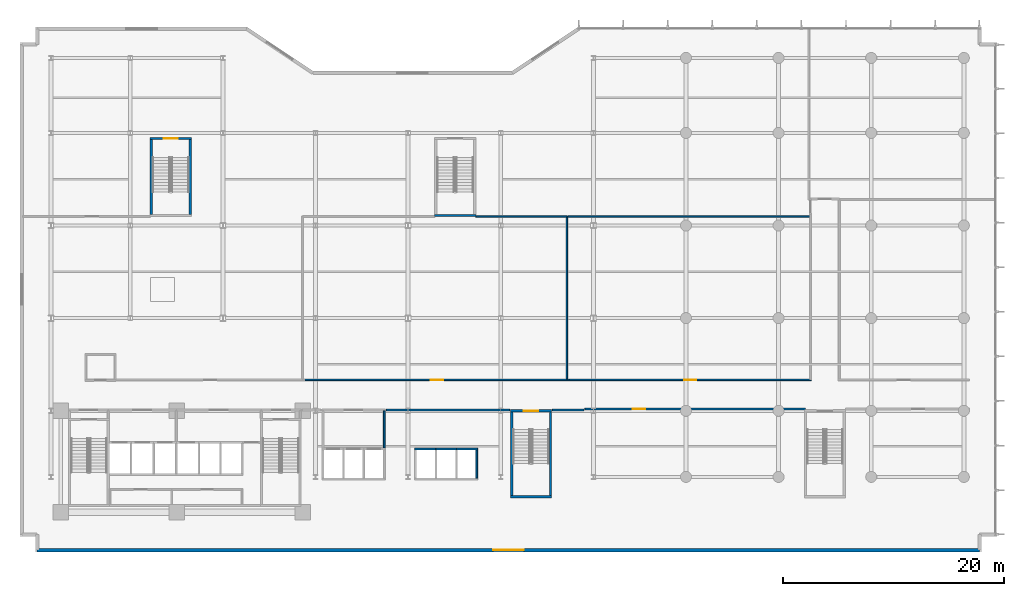
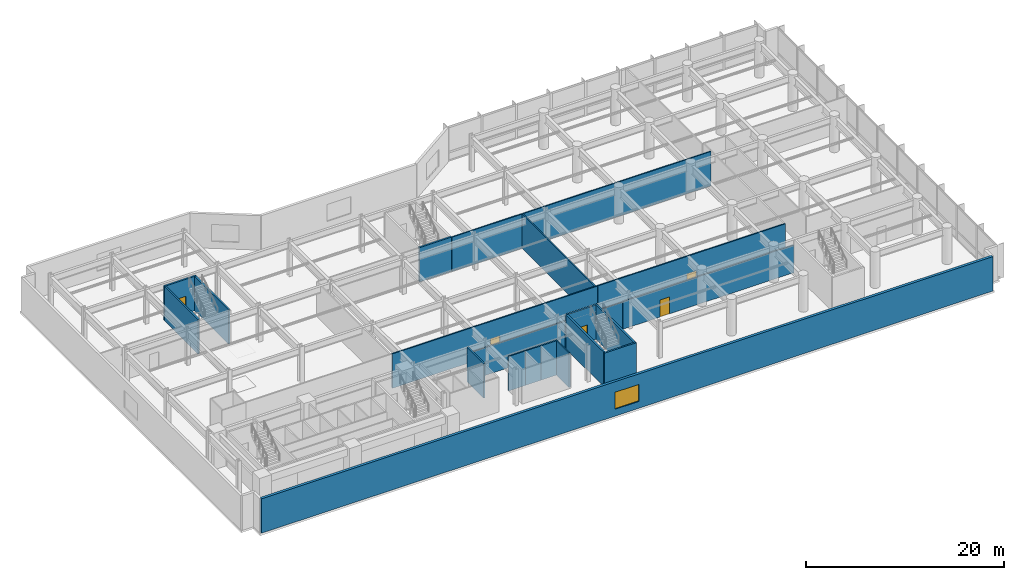
# One storey, part 16 of 26: 22 walls, 5 doors, 1 window, 6 openings.
"""IFC4 building model written with IfcOpenShell, lengths in metres."""

from ifc_helpers import new_model, si_unit, direction, frame, frame_2d, origin, place, context, subcontext, project, spatial, rectangle, extrude, material, layer, layer_set, type_object, element, fill, save


model = new_model("IFC4")

# Units and contexts
model_context = context("Model", 3, precision=1e-05, world=origin(), true_north=direction((0.0, 1.0)))
body_context = subcontext(model_context, "Body", "Model", "MODEL_VIEW")
ifc_project = project(units=[si_unit("LENGTHUNIT", "METRE"), si_unit("AREAUNIT", "SQUARE_METRE"), si_unit("VOLUMEUNIT", "CUBIC_METRE"), si_unit("PLANEANGLEUNIT", "RADIAN"), si_unit("MASSUNIT", "GRAM", prefix="KILO")], contexts=[model_context])

# Site, building, storey
site_placement = place(None, origin())
site = spatial("IfcSite", under=ifc_project, at=site_placement, CompositionType="ELEMENT")
building_placement = place(site_placement, origin())
building = spatial("IfcBuilding", under=site, at=building_placement, Name="Varnakote Quay Hospital", CompositionType="ELEMENT")
storey_placement = place(building_placement, frame((0.0, 0.0, 13.5)))
storey = spatial("IfcBuildingStorey", under=building, at=storey_placement, Name="L03", CompositionType="ELEMENT", Elevation=13.5)

# Walls
ifc_material_1 = material(Name="Fire-rated acoustic gypsum stud wall", Category="gypsum")
ifc_layer_1 = layer(ifc_material_1, 0.159912109375)
ifc_layer_set_1 = layer_set([ifc_layer_1], Name="Fire-rated acoustic gypsum stud wall")
wall_type_1 = type_object("IfcWallType", Name="WL-COMP-160", PredefinedType="PARTITIONING", material=ifc_layer_set_1)
wall_1_placement = place(storey_placement, frame((31.429931640625, 8.610107421875, 0.0), z_axis=(0.0, 0.0, 1.0), x_axis=(0.0, 1.0, 0.0)))
element("IfcWall", 1, at=wall_1_placement, inside=storey, type_object=wall_type_1, Name="L03 Low-Rise Lift Lobby East Wall", PredefinedType="PARTITIONING", context=body_context, shape_type="SweptSolid", body=[
    extrude(rectangle(XDim=3.389892578125, YDim=0.159912109375, at=frame_2d((1.69482421875, 0.0))), origin(), (0.0, 0.0, 1.0), 4.25),
])
wall_2_placement = place(storey_placement, frame((31.6298828125, 12.080078125, 0.0), z_axis=(0.0, 0.0, 1.0), x_axis=(1.0, 0.0, 0.0)))
element("IfcWall", 2, at=wall_2_placement, inside=storey, type_object=wall_type_1, Name="L03 Corridor South Gap Wall", PredefinedType="PARTITIONING", context=body_context, shape_type="SweptSolid", body=[
    extrude(rectangle(XDim=11.180908203125, YDim=0.159912109375, at=frame_2d((5.59033203125, 0.0))), origin(), (0.0, 0.0, 1.0), 3.425048828125),
])
wall_3_placement = place(storey_placement, frame((46.689208984375, 12.080078125, 0.0), z_axis=(0.0, 0.0, 1.0), x_axis=(1.0, 0.0, 0.0)))
element("IfcWall", 3, at=wall_3_placement, inside=storey, type_object=wall_type_1, Name="L03 Corridor South Gap Wall", PredefinedType="PARTITIONING", context=body_context, shape_type="SweptSolid", body=[
    extrude(rectangle(XDim=2.843017578125, YDim=0.159912109375, at=frame_2d((1.42138671875, 0.0))), origin(), (0.0, 0.0, 1.0), 3.425048828125),
])

# Wall, opening, window
ifc_material_2 = material(Name="Precast concrete N50 (f'c 50 MPa)", Category="concrete")
ifc_layer_2 = layer(ifc_material_2, 0.300048828125)
ifc_layer_set_2 = layer_set([ifc_layer_2], Name="Precast concrete N50 (f'c 50 MPa)")
wall_type_2 = type_object("IfcWallType", Name="WL-EXT-BRICK-300", PredefinedType="STANDARD", material=ifc_layer_set_2)
wall_4_placement = place(storey_placement, frame((-0.0400390625, -0.639892578125, 0.0), z_axis=(0.0, 0.0, 1.0), x_axis=(1.0, 0.0, 0.0)))
wall_4 = element("IfcWall", 4, at=wall_4_placement, inside=storey, type_object=wall_type_2, Name="L03 Brick-Faced Precast Exterior Wall", PredefinedType="STANDARD", context=body_context, shape_type="SweptSolid", body=[
    extrude(rectangle(XDim=85.47998046875, YDim=0.300048828125, at=frame_2d((42.739990234375, 0.0))), origin(), (0.0, 0.0, 1.0), 4.25),
])
opening_1_placement = place(wall_4_placement, frame((41.340087890625, 0.0, 0.85009765625)))
opening_1 = element("IfcOpeningElement", 5, at=opening_1_placement, cuts=wall_4, Name="Opening WN-0019", PredefinedType="OPENING", context=body_context, shape_type="SweptSolid", body=[
    extrude(rectangle(XDim=2.800048828125, YDim=2.10009765625, at=frame_2d((1.39990234375, 1.050048828125))), frame((0.0, 0.159912109375, 0.0), z_axis=(0.0, -1.0, 0.0), x_axis=(1.0, 0.0, 0.0)), (0.0, 0.0, 1.0), 0.320068359375),
])
ifc_material_3 = material(Name="Double-glazed acoustic laminated glass", Category="glass")
window_type = type_object("IfcWindowType", Name="WIN-POD-2800x2100", PartitioningType="SINGLE_PANEL", PredefinedType="WINDOW", material=ifc_material_3)
window_placement = place(opening_1_placement, origin())
window = element("IfcWindow", 6, at=window_placement, inside=storey, type_object=window_type, Name="L03 Solar-Control Clinical Window", OverallHeight=2.10009765625, OverallWidth=2.800048828125, PartitioningType="SINGLE_PANEL", PredefinedType="WINDOW", context=body_context, shape_type="SweptSolid", body=[
    extrude(rectangle(XDim=2.800048828125, YDim=2.10009765625, at=frame_2d((1.39990234375, 1.050048828125))), frame((0.0, 0.030029296875, 0.0), z_axis=(0.0, -1.0, 0.0), x_axis=(1.0, 0.0, 0.0)), (0.0, 0.0, 1.0), 0.06005859375),
])
fill(opening_1, window)

# Walls
ifc_material_4 = material(Name="Concrete N50 (f'c 50 MPa)", Category="concrete")
ifc_layer_3 = layer(ifc_material_4, 0.159912109375)
ifc_layer_set_3 = layer_set([ifc_layer_3], Name="Concrete N50 (f'c 50 MPa)")
wall_type_3 = type_object("IfcWallType", Name="WL-SHAFT-N50-160", PredefinedType="SHEAR", material=ifc_layer_set_3)
wall_5_placement = place(storey_placement, frame((39.830078125, 5.89990234375, 0.0), z_axis=(0.0, 0.0, 1.0), x_axis=(0.0, 1.0, 0.0)))
element("IfcWall", 7, at=wall_5_placement, inside=storey, type_object=wall_type_3, Name="L03 MID Lift Bank East Shear Wall", PredefinedType="SHEAR", context=body_context, shape_type="SweptSolid", body=[
    extrude(rectangle(XDim=2.550048828125, YDim=0.159912109375, at=frame_2d((1.27490234375, 0.0))), origin(), (0.0, 0.0, 1.0), 4.25),
])
wall_6_placement = place(storey_placement, frame((34.18994140625, 8.530029296875, 0.0), z_axis=(0.0, 0.0, 1.0), x_axis=(1.0, 0.0, 0.0)))
element("IfcWall", 8, at=wall_6_placement, inside=storey, type_object=wall_type_3, Name="L03 LF-PM1 Hoistway Front Wall", PredefinedType="SHEAR", context=body_context, shape_type="SweptSolid", body=[
    extrude(rectangle(XDim=1.93505859375, YDim=0.159912109375, at=frame_2d((0.967529296875, 0.0))), origin(), (0.0, 0.0, 1.0), 4.25),
])
wall_7_placement = place(storey_placement, frame((36.125, 8.530029296875, 0.0), z_axis=(0.0, 0.0, 1.0), x_axis=(1.0, 0.0, 0.0)))
element("IfcWall", 9, at=wall_7_placement, inside=storey, type_object=wall_type_3, Name="L03 LF-PM2 Hoistway Front Wall", PredefinedType="SHEAR", context=body_context, shape_type="SweptSolid", body=[
    extrude(rectangle(XDim=1.85009765625, YDim=0.159912109375, at=frame_2d((0.925048828125, 0.0))), origin(), (0.0, 0.0, 1.0), 4.25),
])
wall_8_placement = place(storey_placement, frame((37.97509765625, 8.530029296875, 0.0), z_axis=(0.0, 0.0, 1.0), x_axis=(1.0, 0.0, 0.0)))
element("IfcWall", 10, at=wall_8_placement, inside=storey, type_object=wall_type_3, Name="L03 LF-PM3 Hoistway Front Wall", PredefinedType="SHEAR", context=body_context, shape_type="SweptSolid", body=[
    extrude(rectangle(XDim=1.934814453125, YDim=0.159912109375, at=frame_2d((0.96728515625, 0.0))), origin(), (0.0, 0.0, 1.0), 4.25),
])
ifc_material_5 = material(Name="Concrete N50 (f'c 50 MPa)", Category="concrete")
ifc_layer_4 = layer(ifc_material_5, 0.199951171875)
ifc_layer_set_4 = layer_set([ifc_layer_4], Name="Concrete N50 (f'c 50 MPa)")
wall_type_4 = type_object("IfcWallType", Name="WL-SHAFT-N50-200", PredefinedType="SHEAR", material=ifc_layer_set_4)
wall_9_placement = place(storey_placement, frame((42.89990234375, 4.199951171875, 0.0), z_axis=(0.0, 0.0, 1.0), x_axis=(1.0, 0.0, 0.0)))
element("IfcWall", 11, at=wall_9_placement, inside=storey, type_object=wall_type_4, Name="L03 Stair ST3 South Shaft Wall", PredefinedType="SHEAR", context=body_context, shape_type="SweptSolid", body=[
    extrude(rectangle(XDim=3.7001953125, YDim=0.199951171875, at=frame_2d((1.85009765625, 0.0))), origin(), (0.0, 0.0, 1.0), 4.25),
])
for number, where, z_axis, x_axis, name in (
    (12, (43.0, 4.300048828125, 0.0), (0.0, 0.0, 1.0), (0.0, 1.0, 0.0), "L03 Stair ST3 West Shaft Wall"),
    (13, (46.5, 4.300048828125, 0.0), (0.0, 0.0, 1.0), (0.0, 1.0, 0.0), "L03 Stair ST3 East Shaft Wall"),
):
    element("IfcWall", number, at=place(storey_placement, frame(where, z_axis=z_axis, x_axis=x_axis)), inside=storey, type_object=wall_type_4, Name=name, PredefinedType="SHEAR", context=body_context, shape_type="SweptSolid", body=[
        extrude(rectangle(XDim=7.599853515625, YDim=0.199951171875, at=frame_2d((3.7998046875, 0.0))), origin(), (0.0, 0.0, 1.0), 4.25),
    ])

# Wall, opening, door
wall_10_placement = place(storey_placement, frame((42.89990234375, 12.0, 0.0), z_axis=(0.0, 0.0, 1.0), x_axis=(1.0, 0.0, 0.0)))
wall_10 = element("IfcWall", 14, at=wall_10_placement, inside=storey, type_object=wall_type_4, Name="L03 Stair ST3 Exit Wall", PredefinedType="SHEAR", context=body_context, shape_type="SweptSolid", body=[
    extrude(rectangle(XDim=3.7001953125, YDim=0.199951171875, at=frame_2d((1.85009765625, 0.0))), origin(), (0.0, 0.0, 1.0), 4.25),
])
opening_2_placement = place(wall_10_placement, frame((1.199951171875, 0.0, 0.0)))
opening_2 = element("IfcOpeningElement", 15, at=opening_2_placement, cuts=wall_10, Name="Opening D-ST3-L03", PredefinedType="OPENING", context=body_context, shape_type="SweptSolid", body=[
    extrude(rectangle(XDim=1.300048828125, YDim=2.14990234375, at=frame_2d((0.64990234375, 1.074951171875))), frame((0.0, 0.10986328125, 0.0), z_axis=(0.0, -1.0, 0.0), x_axis=(1.0, 0.0, 0.0)), (0.0, 0.0, 1.0), 0.219970703125),
])
ifc_material_6 = material(Name="Fire-rated ceramic-glazed timber exit door", Category="wood")
door_type_1 = type_object("IfcDoorType", Name="DR-STAIR-FD60S-1300x2150", OperationType="NOTDEFINED", PredefinedType="DOOR", material=ifc_material_6)
door_1_placement = place(opening_2_placement, origin())
door_1 = element("IfcDoor", 16, at=door_1_placement, inside=storey, type_object=door_type_1, Name="L03 Stair ST3 Fire Exit Door", OperationType="SINGLE_SWING_RIGHT", OverallHeight=2.14990234375, OverallWidth=1.300048828125, PredefinedType="DOOR", context=body_context, shape_type="SweptSolid", body=[
    extrude(rectangle(XDim=1.300048828125, YDim=2.14990234375, at=frame_2d((0.64990234375, 1.074951171875))), frame((0.0, 0.02490234375, 0.0), z_axis=(0.0, -1.0, 0.0), x_axis=(1.0, 0.0, 0.0)), (0.0, 0.0, 1.0), 0.050048828125),
])
fill(opening_2, door_1)

# Walls
for number, where, z_axis, x_axis, name in (
    (17, (10.300048828125, 29.800048828125, 0.0), (0.0, 0.0, 1.0), (0.0, 1.0, 0.0), "L03 Stair ST4 West Shaft Wall"),
    (18, (13.840087890625, 29.800048828125, 0.0), (0.0, 0.0, 1.0), (0.0, 1.0, 0.0), "L03 Stair ST4 East Shaft Wall"),
):
    element("IfcWall", number, at=place(storey_placement, frame(where, z_axis=z_axis, x_axis=x_axis)), inside=storey, type_object=wall_type_4, Name=name, PredefinedType="SHEAR", context=body_context, shape_type="SweptSolid", body=[
        extrude(rectangle(XDim=6.800048828125, YDim=0.199951171875, at=frame_2d((3.39990234375, 0.0))), origin(), (0.0, 0.0, 1.0), 4.25),
    ])

# Wall, opening, door
wall_11_placement = place(storey_placement, frame((10.199951171875, 36.699951171875, 0.0), z_axis=(0.0, 0.0, 1.0), x_axis=(1.0, 0.0, 0.0)))
wall_11 = element("IfcWall", 19, at=wall_11_placement, inside=storey, type_object=wall_type_4, Name="L03 Stair ST4 Exit Wall", PredefinedType="SHEAR", context=body_context, shape_type="SweptSolid", body=[
    extrude(rectangle(XDim=3.739990234375, YDim=0.199951171875, at=frame_2d((1.8701171875, 0.0))), origin(), (0.0, 0.0, 1.0), 4.25),
])
opening_3_placement = place(wall_11_placement, frame((1.219970703125, 0.0, 0.0)))
opening_3 = element("IfcOpeningElement", 20, at=opening_3_placement, cuts=wall_11, Name="Opening D-ST4-L03", PredefinedType="OPENING", context=body_context, shape_type="SweptSolid", body=[
    extrude(rectangle(XDim=1.300048828125, YDim=2.14990234375, at=frame_2d((0.64990234375, 1.074951171875))), frame((0.0, 0.10986328125, 0.0), z_axis=(0.0, -1.0, 0.0), x_axis=(1.0, 0.0, 0.0)), (0.0, 0.0, 1.0), 0.219970703125),
])
door_2_placement = place(opening_3_placement, origin())
door_2 = element("IfcDoor", 21, at=door_2_placement, inside=storey, type_object=door_type_1, Name="L03 Stair ST4 Fire Exit Door", OperationType="SINGLE_SWING_RIGHT", OverallHeight=2.14990234375, OverallWidth=1.300048828125, PredefinedType="DOOR", context=body_context, shape_type="SweptSolid", body=[
    extrude(rectangle(XDim=1.300048828125, YDim=2.14990234375, at=frame_2d((0.64990234375, 1.074951171875))), frame((0.0, 0.02490234375, 0.0), z_axis=(0.0, -1.0, 0.0), x_axis=(1.0, 0.0, 0.0)), (0.0, 0.0, 1.0), 0.050048828125),
])
fill(opening_3, door_2)

# Walls
wall_12_placement = place(storey_placement, frame((36.0, 29.699951171875, 0.0), z_axis=(0.0, 0.0, 1.0), x_axis=(1.0, 0.0, 0.0)))
element("IfcWall", 22, at=wall_12_placement, inside=storey, type_object=wall_type_4, Name="L03 Stair ST5 South Shaft Wall", PredefinedType="SHEAR", context=body_context, shape_type="SweptSolid", body=[
    extrude(rectangle(XDim=3.739990234375, YDim=0.199951171875, at=frame_2d((1.8701171875, 0.0))), origin(), (0.0, 0.0, 1.0), 4.25),
])
ifc_material_7 = material(Name="Smoke-proof clinical partition", Category="gypsum")
ifc_layer_5 = layer(ifc_material_7, 0.135009765625)
ifc_layer_set_5 = layer_set([ifc_layer_5], Name="Smoke-proof clinical partition")
wall_type_5 = type_object("IfcWallType", Name="WL-SMOKE-135", PredefinedType="PARTITIONING", material=ifc_layer_set_5)
wall_13_placement = place(storey_placement, frame((48.0, 14.864990234375, 0.0), z_axis=(0.0, 0.0, 1.0), x_axis=(0.0, 1.0, 0.0)))
element("IfcWall", 23, at=wall_13_placement, inside=storey, type_object=wall_type_5, Name="L03 Clinical Interior Partition", PredefinedType="PARTITIONING", context=body_context, shape_type="SweptSolid", body=[
    extrude(rectangle(XDim=14.755126953125, YDim=0.135009765625, at=frame_2d((7.37744140625, 0.0))), origin(), (0.0, 0.0, 1.0), 4.25),
])
wall_14_placement = place(storey_placement, frame((48.0, 29.6201171875, 0.0), z_axis=(0.0, 0.0, 1.0), x_axis=(-1.0, 0.0, 0.0)))
element("IfcWall", 24, at=wall_14_placement, inside=storey, type_object=wall_type_5, Name="L03 Clinical Interior Partition", PredefinedType="PARTITIONING", context=body_context, shape_type="SweptSolid", body=[
    extrude(rectangle(XDim=8.258056640625, YDim=0.135009765625, at=frame_2d((4.12890625, 0.0))), origin(), (0.0, 0.0, 1.0), 4.25),
])
wall_15_placement = place(storey_placement, frame((70.034912109375, 29.6201171875, 0.0), z_axis=(0.0, 0.0, 1.0), x_axis=(-1.0, 0.0, 0.0)))
element("IfcWall", 25, at=wall_15_placement, inside=storey, type_object=wall_type_5, Name="L03 Clinical Interior Partition", PredefinedType="PARTITIONING", context=body_context, shape_type="SweptSolid", body=[
    extrude(rectangle(XDim=21.977294921875, YDim=0.135009765625, at=frame_2d((10.98876953125, 0.0))), origin(), (0.0, 0.0, 1.0), 4.25),
])

# Wall, opening, door
ifc_material_8 = material(Name="Fire-rated clinical gypsum partition", Category="gypsum")
ifc_layer_6 = layer(ifc_material_8, 0.14990234375)
ifc_layer_set_6 = layer_set([ifc_layer_6], Name="Fire-rated clinical gypsum partition")
wall_type_6 = type_object("IfcWallType", Name="WL-WARD-150", PredefinedType="PARTITIONING", material=ifc_layer_set_6)
wall_16_placement = place(storey_placement, frame((49.62158203125, 12.159912109375, 0.0), z_axis=(0.0, 0.0, 1.0), x_axis=(1.0, 0.0, 0.0)))
wall_16 = element("IfcWall", 26, at=wall_16_placement, inside=storey, type_object=wall_type_6, Name="L03 Clinical Interior Partition", PredefinedType="PARTITIONING", context=body_context, shape_type="SweptSolid", body=[
    extrude(rectangle(XDim=20.0068359375, YDim=0.14990234375, at=frame_2d((10.00341796875, 0.0))), origin(), (0.0, 0.0, 1.0), 3.425048828125),
])
opening_4_placement = place(wall_16_placement, frame((4.364013671875, 0.0, 0.0)))
opening_4 = element("IfcOpeningElement", 27, at=opening_4_placement, cuts=wall_16, Name="Opening D-L03-EMIC", PredefinedType="OPENING", context=body_context, shape_type="SweptSolid", body=[
    extrude(rectangle(XDim=1.10009765625, YDim=2.10009765625, at=frame_2d((0.550048828125, 1.050048828125))), frame((0.0, 0.0849609375, 0.0), z_axis=(0.0, -1.0, 0.0), x_axis=(1.0, 0.0, 0.0)), (0.0, 0.0, 1.0), 0.169921875),
])
ifc_material_9 = material(Name="Acoustic timber clinical consult door", Category="wood")
door_type_2 = type_object("IfcDoorType", Name="DR-CLIN-FD30S-1100x2100", OperationType="NOTDEFINED", PredefinedType="DOOR", material=ifc_material_9)
door_3_placement = place(opening_4_placement, origin())
door_3 = element("IfcDoor", 28, at=door_3_placement, inside=storey, type_object=door_type_2, Name="L03 Clinical Microbiology & Molecular Pathology Laboratory Door", OperationType="SINGLE_SWING_RIGHT", OverallHeight=2.10009765625, OverallWidth=1.10009765625, PredefinedType="DOOR", context=body_context, shape_type="SweptSolid", body=[
    extrude(rectangle(XDim=1.10009765625, YDim=2.10009765625, at=frame_2d((0.550048828125, 1.050048828125))), frame((0.0, 0.02490234375, 0.0), z_axis=(0.0, -1.0, 0.0), x_axis=(1.0, 0.0, 0.0)), (0.0, 0.0, 1.0), 0.050048828125),
])
fill(opening_4, door_3)

wall_17_placement = place(storey_placement, frame((48.218017578125, 14.800048828125, 0.0), z_axis=(0.0, 0.0, 1.0), x_axis=(-1.0, 0.0, 0.0)))
wall_17 = element("IfcWall", 29, at=wall_17_placement, inside=storey, type_object=wall_type_6, Name="L03 Clinical Interior Partition", PredefinedType="PARTITIONING", context=body_context, shape_type="SweptSolid", body=[
    extrude(rectangle(XDim=23.998046875, YDim=0.14990234375, at=frame_2d((11.9990234375, 0.0))), origin(), (0.0, 0.0, 1.0), 4.25),
])
opening_5_placement = place(wall_17_placement, frame((11.448974609375, 0.0, 0.0)))
opening_5 = element("IfcOpeningElement", 30, at=opening_5_placement, cuts=wall_17, Name="Opening D-L03-OR04", PredefinedType="OPENING", context=body_context, shape_type="SweptSolid", body=[
    extrude(rectangle(XDim=1.10009765625, YDim=2.10009765625, at=frame_2d((0.550048828125, 1.050048828125))), frame((0.0, 0.0849609375, 0.0), z_axis=(0.0, -1.0, 0.0), x_axis=(1.0, 0.0, 0.0)), (0.0, 0.0, 1.0), 0.169921875),
])
door_4_placement = place(opening_5_placement, origin())
door_4 = element("IfcDoor", 31, at=door_4_placement, inside=storey, type_object=door_type_2, Name="L03 Neurosurgical Operating Theatre Treatment Suite 11-12 Door", OperationType="SINGLE_SWING_LEFT", OverallHeight=2.10009765625, OverallWidth=1.10009765625, PredefinedType="DOOR", context=body_context, shape_type="SweptSolid", body=[
    extrude(rectangle(XDim=1.10009765625, YDim=2.10009765625, at=frame_2d((0.550048828125, 1.050048828125))), frame((0.0, 0.02490234375, 0.0), z_axis=(0.0, -1.0, 0.0), x_axis=(1.0, 0.0, 0.0)), (0.0, 0.0, 1.0), 0.050048828125),
])
fill(opening_5, door_4)

wall_18_placement = place(storey_placement, frame((70.16796875, 14.800048828125, 0.0), z_axis=(0.0, 0.0, 1.0), x_axis=(-1.0, 0.0, 0.0)))
wall_18 = element("IfcWall", 32, at=wall_18_placement, inside=storey, type_object=wall_type_6, Name="L03 Clinical Interior Partition", PredefinedType="PARTITIONING", context=body_context, shape_type="SweptSolid", body=[
    extrude(rectangle(XDim=21.947998046875, YDim=0.14990234375, at=frame_2d((10.97412109375, 0.0))), origin(), (0.0, 0.0, 1.0), 4.25),
])
opening_6_placement = place(wall_18_placement, frame((10.424072265625, 0.0, 0.0)))
opening_6 = element("IfcOpeningElement", 33, at=opening_6_placement, cuts=wall_18, Name="Opening D-L03-ENDO", PredefinedType="OPENING", context=body_context, shape_type="SweptSolid", body=[
    extrude(rectangle(XDim=1.10009765625, YDim=2.10009765625, at=frame_2d((0.550048828125, 1.050048828125))), frame((0.0, 0.0849609375, 0.0), z_axis=(0.0, -1.0, 0.0), x_axis=(1.0, 0.0, 0.0)), (0.0, 0.0, 1.0), 0.169921875),
])
door_5_placement = place(opening_6_placement, origin())
door_5 = element("IfcDoor", 34, at=door_5_placement, inside=storey, type_object=door_type_2, Name="L03 Endoscopy Day Procedure Treatment Ward Door", OperationType="SINGLE_SWING_RIGHT", OverallHeight=2.10009765625, OverallWidth=1.10009765625, PredefinedType="DOOR", context=body_context, shape_type="SweptSolid", body=[
    extrude(rectangle(XDim=1.10009765625, YDim=2.10009765625, at=frame_2d((0.550048828125, 1.050048828125))), frame((0.0, 0.02490234375, 0.0), z_axis=(0.0, -1.0, 0.0), x_axis=(1.0, 0.0, 0.0)), (0.0, 0.0, 1.0), 0.050048828125),
])
fill(opening_6, door_5)

save(model, "model.ifc")
